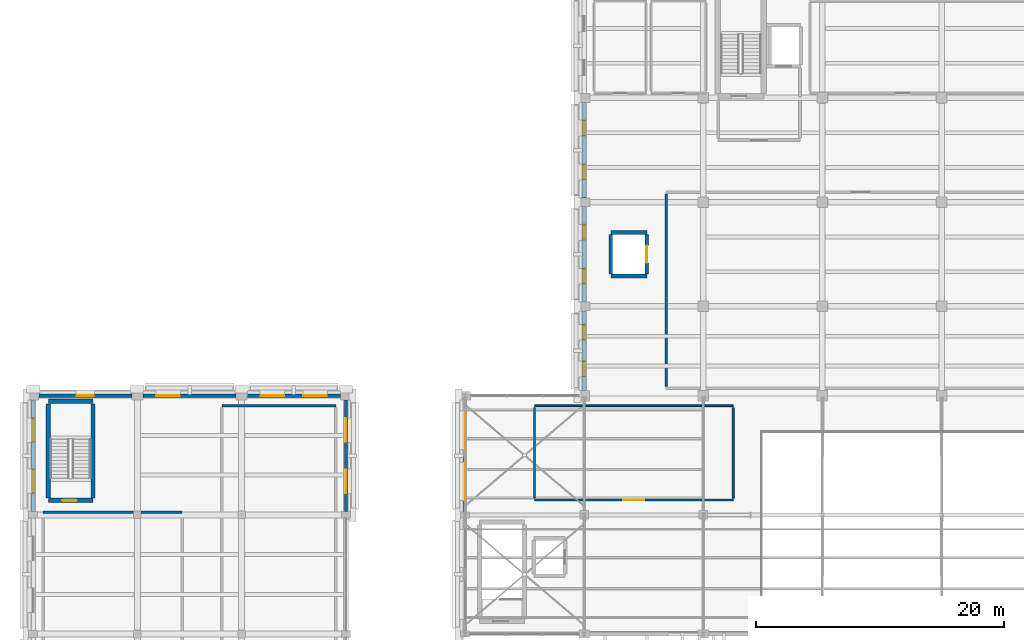
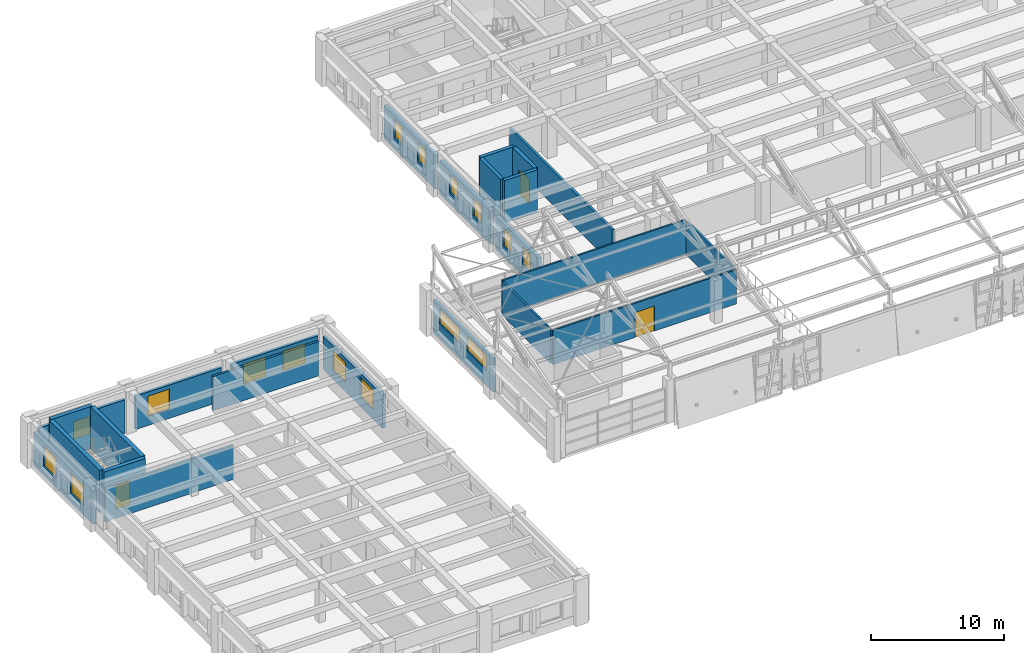
# One storey, part 48 of 58: 24 walls, 16 windows, 3 doors, 19 openings.
"""IFC4 building model written with IfcOpenShell, lengths in metres."""

from ifc_helpers import new_model, si_unit, direction, frame, frame_2d, origin, place, context, subcontext, project, spatial, rectangle, extrude, material, layer, layer_set, type_object, element, fill, save


model = new_model("IFC4")

# Units and contexts
model_context = context("Model", 3, precision=1e-05, world=origin(), true_north=direction((0.0, 1.0)))
body_context = subcontext(model_context, "Body", "Model", "MODEL_VIEW")
ifc_project = project(units=[si_unit("LENGTHUNIT", "METRE"), si_unit("AREAUNIT", "SQUARE_METRE"), si_unit("VOLUMEUNIT", "CUBIC_METRE"), si_unit("PLANEANGLEUNIT", "RADIAN"), si_unit("MASSUNIT", "GRAM", prefix="KILO")], contexts=[model_context])

# Site, building, storey
site_placement = place(None, origin())
site = spatial("IfcSite", under=ifc_project, at=site_placement, CompositionType="ELEMENT")
building_placement = place(site_placement, origin())
building = spatial("IfcBuilding", under=site, at=building_placement, Name="Bempovik Park Faculty of Sciences", CompositionType="ELEMENT")
storey_placement = place(building_placement, frame((0.0, 0.0, 18.300048828125)))
storey = spatial("IfcBuildingStorey", under=building, at=storey_placement, Name="L04", CompositionType="ELEMENT", Elevation=18.300048828125)

# Walls
ifc_material_1 = material(Name="Concrete C40/50", Category="concrete")
ifc_layer_1 = layer(ifc_material_1, 0.300048828125)
ifc_layer_set_1 = layer_set([ifc_layer_1], Name="Concrete C40/50")
wall_type_1 = type_object("IfcWallType", Name="W-31 Wall 300mm", PredefinedType="SHEAR", material=ifc_layer_set_1)
for number, where, z_axis, x_axis, name in (
    (1, (62.14990234375, 96.64990234375, 0.0), (0.0, 0.0, 1.0), (1.0, 0.0, 0.0), "Lift LF-5 L04 Shaft Wall South"),
    (2, (62.14990234375, 100.14990234375, 0.0), (0.0, 0.0, 1.0), (1.0, 0.0, 0.0), "Lift LF-5 L04 Shaft Wall North"),
):
    element("IfcWall", number, at=place(storey_placement, frame(where, z_axis=z_axis, x_axis=x_axis)), inside=storey, type_object=wall_type_1, Name=name, PredefinedType="SHEAR", context=body_context, shape_type="SweptSolid", body=[
        extrude(rectangle(XDim=2.900146484375, YDim=0.300048828125, at=frame_2d((1.4501953125, 0.0))), origin(), (0.0, 0.0, 1.0), 3.89990234375),
    ])
wall_1_placement = place(storey_placement, frame((62.14990234375, 96.800048828125, 0.0), z_axis=(0.0, 0.0, 1.0), x_axis=(0.0, 1.0, 0.0)))
element("IfcWall", 3, at=wall_1_placement, inside=storey, type_object=wall_type_1, Name="Lift LF-5 L04 Shaft Wall West", PredefinedType="SHEAR", context=body_context, shape_type="SweptSolid", body=[
    extrude(rectangle(XDim=3.199951171875, YDim=0.300048828125, at=frame_2d((1.60009765625, 0.0))), origin(), (0.0, 0.0, 1.0), 3.89990234375),
])

# Wall, opening, door
wall_2_placement = place(storey_placement, frame((65.050048828125, 96.800048828125, 0.0), z_axis=(0.0, 0.0, 1.0), x_axis=(0.0, 1.0, 0.0)))
wall_2 = element("IfcWall", 4, at=wall_2_placement, inside=storey, type_object=wall_type_1, Name="Lift LF-5 L04 Shaft Wall East", PredefinedType="SHEAR", context=body_context, shape_type="SweptSolid", body=[
    extrude(rectangle(XDim=3.199951171875, YDim=0.300048828125, at=frame_2d((1.60009765625, 0.0))), origin(), (0.0, 0.0, 1.0), 3.89990234375),
])
opening_1_placement = place(wall_2_placement, frame((0.89990234375, 0.0, 0.0)))
opening_1 = element("IfcOpeningElement", 5, at=opening_1_placement, cuts=wall_2, Name="Opening LD-03", PredefinedType="OPENING", context=body_context, shape_type="SweptSolid", body=[
    extrude(rectangle(XDim=1.39990234375, YDim=2.300048828125, at=frame_2d((0.699951171875, 1.14990234375))), frame((0.0, 0.16015625, 0.0), z_axis=(0.0, -1.0, 0.0), x_axis=(1.0, 0.0, 0.0)), (0.0, 0.0, 1.0), 0.320068359375),
])
ifc_material_2 = material(Name="Painted steel S355", Category="steel")
door_type_1 = type_object("IfcDoorType", Name="LD-03 Door 1400x2300", OperationType="NOTDEFINED", PredefinedType="DOOR", material=ifc_material_2)
door_1_placement = place(opening_1_placement, origin())
door_1 = element("IfcDoor", 6, at=door_1_placement, inside=storey, type_object=door_type_1, Name="Lift LF-5 L04 Sliding Landing Door", OperationType="SLIDING_TO_LEFT", OverallHeight=2.300048828125, OverallWidth=1.39990234375, PredefinedType="DOOR", context=body_context, shape_type="SweptSolid", body=[
    extrude(rectangle(XDim=1.39990234375, YDim=2.300048828125, at=frame_2d((0.699951171875, 1.14990234375))), frame((0.0, 0.02490234375, 0.0), z_axis=(0.0, -1.0, 0.0), x_axis=(1.0, 0.0, 0.0)), (0.0, 0.0, 1.0), 0.050048828125),
])
fill(opening_1, door_1)

ifc_material_3 = material(Name="Gypsum acoustic stud assembly")
ifc_layer_2 = layer(ifc_material_3, 0.14990234375)
ifc_layer_set_2 = layer_set([ifc_layer_2], Name="Gypsum acoustic stud assembly")
wall_type_2 = type_object("IfcWallType", Name="W-42 Wall 150mm", PredefinedType="PARTITIONING", material=ifc_layer_set_2)
wall_3_placement = place(storey_placement, frame((56.0, 78.60009765625, 0.0), z_axis=(0.0, 0.0, 1.0), x_axis=(1.0, 0.0, 0.0)))
wall_3 = element("IfcWall", 7, at=wall_3_placement, inside=storey, type_object=wall_type_2, Name="L04 Atrium Sawtooth West Reading Gallery Partition South", PredefinedType="PARTITIONING", context=body_context, shape_type="SweptSolid", body=[
    extrude(rectangle(XDim=16.0, YDim=0.14990234375, at=frame_2d((8.0, 0.0))), origin(), (0.0, 0.0, 1.0), 3.14990234375),
])
opening_2_placement = place(wall_3_placement, frame((7.14990234375, 0.0, 0.0)))
opening_2 = element("IfcOpeningElement", 8, at=opening_2_placement, cuts=wall_3, Name="Opening D-40", PredefinedType="OPENING", context=body_context, shape_type="SweptSolid", body=[
    extrude(rectangle(XDim=1.699951171875, YDim=2.300048828125, at=frame_2d((0.85009765625, 1.14990234375))), frame((0.0, 0.0849609375, 0.0), z_axis=(0.0, -1.0, 0.0), x_axis=(1.0, 0.0, 0.0)), (0.0, 0.0, 1.0), 0.169921875),
])
ifc_material_4 = material(Name="Anodised architectural bronze")
door_type_2 = type_object("IfcDoorType", Name="D-40 Door 1700x2300", OperationType="NOTDEFINED", PredefinedType="DOOR", material=ifc_material_4)
door_2_placement = place(opening_2_placement, origin())
door_2 = element("IfcDoor", 9, at=door_2_placement, inside=storey, type_object=door_type_2, Name="L04 Atrium Sawtooth West Reading Gallery Door", OperationType="DOUBLE_DOOR_SINGLE_SWING", OverallHeight=2.300048828125, OverallWidth=1.699951171875, PredefinedType="DOOR", context=body_context, shape_type="SweptSolid", body=[
    extrude(rectangle(XDim=1.699951171875, YDim=2.300048828125, at=frame_2d((0.85009765625, 1.14990234375))), frame((0.0, 0.02490234375, 0.0), z_axis=(0.0, -1.0, 0.0), x_axis=(1.0, 0.0, 0.0)), (0.0, 0.0, 1.0), 0.050048828125),
])
fill(opening_2, door_2)

# Walls
wall_4_placement = place(storey_placement, frame((56.0, 86.199951171875, 0.0), z_axis=(0.0, 0.0, 1.0), x_axis=(1.0, 0.0, 0.0)))
element("IfcWall", 10, at=wall_4_placement, inside=storey, type_object=wall_type_2, Name="L04 Atrium Sawtooth West Reading Gallery Partition North", PredefinedType="PARTITIONING", context=body_context, shape_type="SweptSolid", body=[
    extrude(rectangle(XDim=16.0, YDim=0.14990234375, at=frame_2d((8.0, 0.0))), origin(), (0.0, 0.0, 1.0), 3.14990234375),
])
for number, where, z_axis, x_axis, name in (
    (11, (56.0, 78.760009765625, 0.0), (0.0, 0.0, 1.0), (0.0, 1.0, 0.0), "L04 Atrium Sawtooth West Reading Gallery Partition West"),
    (12, (72.0, 78.760009765625, 0.0), (0.0, 0.0, 1.0), (0.0, 1.0, 0.0), "L04 Atrium Sawtooth West Reading Gallery Partition East"),
):
    element("IfcWall", number, at=place(storey_placement, frame(where, z_axis=z_axis, x_axis=x_axis)), inside=storey, type_object=wall_type_2, Name=name, PredefinedType="PARTITIONING", context=body_context, shape_type="SweptSolid", body=[
        extrude(rectangle(XDim=7.280029296875, YDim=0.14990234375, at=frame_2d((3.64013671875, 0.0))), origin(), (0.0, 0.0, 1.0), 3.14990234375),
    ])

# Wall, opening, door
ifc_layer_3 = layer(ifc_material_1, 0.35009765625)
ifc_layer_set_3 = layer_set([ifc_layer_3], Name="Concrete C40/50")
wall_type_3 = type_object("IfcWallType", Name="W-46 Wall 350mm", PredefinedType="SHEAR", material=ifc_layer_set_3)
wall_5_placement = place(storey_placement, frame((16.824951171875, 78.574951171875, 0.0), z_axis=(0.0, 0.0, 1.0), x_axis=(1.0, 0.0, 0.0)))
wall_5 = element("IfcWall", 13, at=wall_5_placement, inside=storey, type_object=wall_type_3, Name="ST-3 L04 Core Shear Wall South", PredefinedType="SHEAR", context=body_context, shape_type="SweptSolid", body=[
    extrude(rectangle(XDim=3.60009765625, YDim=0.35009765625, at=frame_2d((1.800048828125, 0.0))), origin(), (0.0, 0.0, 1.0), 3.89990234375),
])
opening_3_placement = place(wall_5_placement, frame((1.10009765625, 0.0, 0.0)))
opening_3 = element("IfcOpeningElement", 14, at=opening_3_placement, cuts=wall_5, Name="Opening D-49", PredefinedType="OPENING", context=body_context, shape_type="SweptSolid", body=[
    extrude(rectangle(XDim=1.199951171875, YDim=2.199951171875, at=frame_2d((0.60009765625, 1.10009765625))), frame((0.0, 0.18505859375, 0.0), z_axis=(0.0, -1.0, 0.0), x_axis=(1.0, 0.0, 0.0)), (0.0, 0.0, 1.0), 0.3701171875),
])
door_type_3 = type_object("IfcDoorType", Name="D-49 Door 1200x2200", OperationType="NOTDEFINED", PredefinedType="DOOR", material=ifc_material_2)
door_3_placement = place(opening_3_placement, origin())
door_3 = element("IfcDoor", 15, at=door_3_placement, inside=storey, type_object=door_type_3, Name="ST-3 L04 Protected Stair Smoke Door", OperationType="SINGLE_SWING_LEFT", OverallHeight=2.199951171875, OverallWidth=1.199951171875, PredefinedType="DOOR", context=body_context, shape_type="SweptSolid", body=[
    extrude(rectangle(XDim=1.199951171875, YDim=2.199951171875, at=frame_2d((0.60009765625, 1.10009765625))), frame((0.0, 0.02490234375, 0.0), z_axis=(0.0, -1.0, 0.0), x_axis=(1.0, 0.0, 0.0)), (0.0, 0.0, 1.0), 0.050048828125),
])
fill(opening_3, door_3)

# Walls
for number, where, z_axis, x_axis, name in (
    (16, (16.824951171875, 78.77490234375, 0.0), (0.0, 0.0, 1.0), (0.0, 1.0, 0.0), "ST-3 L04 Core Shear Wall West"),
    (17, (20.425048828125, 78.77490234375, 0.0), (0.0, 0.0, 1.0), (0.0, 1.0, 0.0), "ST-3 L04 Core Shear Wall East"),
):
    element("IfcWall", number, at=place(storey_placement, frame(where, z_axis=z_axis, x_axis=x_axis)), inside=storey, type_object=wall_type_3, Name=name, PredefinedType="SHEAR", context=body_context, shape_type="SweptSolid", body=[
        extrude(rectangle(XDim=7.5751953125, YDim=0.35009765625, at=frame_2d((3.78759765625, 0.0))), origin(), (0.0, 0.0, 1.0), 3.89990234375),
    ])
wall_6_placement = place(storey_placement, frame((16.824951171875, 86.550048828125, 0.0), z_axis=(0.0, 0.0, 1.0), x_axis=(1.0, 0.0, 0.0)))
element("IfcWall", 18, at=wall_6_placement, inside=storey, type_object=wall_type_3, Name="ST-3 L04 Core Shear Wall North", PredefinedType="SHEAR", context=body_context, shape_type="SweptSolid", body=[
    extrude(rectangle(XDim=3.60009765625, YDim=0.35009765625, at=frame_2d((1.800048828125, 0.0))), origin(), (0.0, 0.0, 1.0), 3.89990234375),
])

# Wall, opening, window
ifc_material_5 = material(Name="Precast concrete C40/50", Category="concrete")
ifc_layer_4 = layer(ifc_material_5, 0.260009765625)
ifc_layer_set_4 = layer_set([ifc_layer_4], Name="Precast concrete C40/50")
wall_type_4 = type_object("IfcWallType", Name="W-54 Wall 260mm", PredefinedType="SOLIDWALL", material=ifc_layer_set_4)
wall_7_placement = place(storey_placement, frame((16.052001953125, 87.0, 0.0), z_axis=(0.0, 0.0, 1.0), x_axis=(1.0, 0.0, 0.0)))
wall_7 = element("IfcWall", 19, at=wall_7_placement, inside=storey, type_object=wall_type_4, Name="L04 Classical Precast Facade Wall EW-L04-9352", PredefinedType="SOLIDWALL", context=body_context, shape_type="SweptSolid", body=[
    extrude(rectangle(XDim=7.49609375, YDim=0.260009765625, at=frame_2d((3.748046875, 0.0))), origin(), (0.0, 0.0, 1.0), 3.079833984375),
])
opening_4_placement = place(wall_7_placement, frame((3.048095703125, 0.0, 0.89990234375)))
opening_4 = element("IfcOpeningElement", 20, at=opening_4_placement, cuts=wall_7, Name="Opening WN-84", PredefinedType="OPENING", context=body_context, shape_type="SweptSolid", body=[
    extrude(rectangle(XDim=1.39990234375, YDim=1.64990234375, at=frame_2d((0.699951171875, 0.824951171875))), frame((0.0, 0.14013671875, 0.0), z_axis=(0.0, -1.0, 0.0), x_axis=(1.0, 0.0, 0.0)), (0.0, 0.0, 1.0), 0.280029296875),
])
ifc_material_6 = material(Name="Tempered laminated low-E glass", Category="glass")
window_type_1 = type_object("IfcWindowType", Name="WN-84 Window 1400x1650", PartitioningType="SINGLE_PANEL", PredefinedType="WINDOW", material=ifc_material_6)
window_1_placement = place(opening_4_placement, origin())
window_1 = element("IfcWindow", 21, at=window_1_placement, inside=storey, type_object=window_type_1, Name="L04 Stairwell Classical Lancet Window EW-L04-9352", OverallHeight=1.64990234375, OverallWidth=1.39990234375, PartitioningType="SINGLE_PANEL", PredefinedType="WINDOW", context=body_context, shape_type="SweptSolid", body=[
    extrude(rectangle(XDim=1.39990234375, YDim=1.64990234375, at=frame_2d((0.699951171875, 0.824951171875))), frame((0.0, 0.030029296875, 0.0), z_axis=(0.0, -1.0, 0.0), x_axis=(1.0, 0.0, 0.0)), (0.0, 0.0, 1.0), 0.06005859375),
])
fill(opening_4, window_1)

wall_8_placement = place(storey_placement, frame((24.451904296875, 87.0, 0.0), z_axis=(0.0, 0.0, 1.0), x_axis=(1.0, 0.0, 0.0)))
wall_8 = element("IfcWall", 22, at=wall_8_placement, inside=storey, type_object=wall_type_4, Name="L04 Classical Precast Facade Wall EW-L04-9359", PredefinedType="SOLIDWALL", context=body_context, shape_type="SweptSolid", body=[
    extrude(rectangle(XDim=7.49609375, YDim=0.260009765625, at=frame_2d((3.748046875, 0.0))), origin(), (0.0, 0.0, 1.0), 3.079833984375),
])
opening_5_placement = place(wall_8_placement, frame((1.073974609375, 0.0, 0.85009765625)))
opening_5 = element("IfcOpeningElement", 23, at=opening_5_placement, cuts=wall_8, Name="Opening WN-48", PredefinedType="OPENING", context=body_context, shape_type="SweptSolid", body=[
    extrude(rectangle(XDim=1.89990234375, YDim=1.85009765625, at=frame_2d((0.949951171875, 0.925048828125))), frame((0.0, 0.14013671875, 0.0), z_axis=(0.0, -1.0, 0.0), x_axis=(1.0, 0.0, 0.0)), (0.0, 0.0, 1.0), 0.280029296875),
])
window_type_2 = type_object("IfcWindowType", Name="WN-48 Window 1900x1850", PartitioningType="SINGLE_PANEL", PredefinedType="WINDOW", material=ifc_material_6)
window_2_placement = place(opening_5_placement, origin())
window_2 = element("IfcWindow", 24, at=window_2_placement, inside=storey, type_object=window_type_2, Name="L04 Window EW-L04-9359-1", OverallHeight=1.85009765625, OverallWidth=1.89990234375, PartitioningType="SINGLE_PANEL", PredefinedType="WINDOW", context=body_context, shape_type="SweptSolid", body=[
    extrude(rectangle(XDim=1.89990234375, YDim=1.85009765625, at=frame_2d((0.949951171875, 0.925048828125))), frame((0.0, 0.030029296875, 0.0), z_axis=(0.0, -1.0, 0.0), x_axis=(1.0, 0.0, 0.0)), (0.0, 0.0, 1.0), 0.06005859375),
])
fill(opening_5, window_2)

# Wall, openings, windows
wall_9_placement = place(storey_placement, frame((32.85205078125, 87.0, 0.0), z_axis=(0.0, 0.0, 1.0), x_axis=(1.0, 0.0, 0.0)))
wall_9 = element("IfcWall", 25, at=wall_9_placement, inside=storey, type_object=wall_type_4, Name="L04 Classical Precast Facade Wall EW-L04-9369", PredefinedType="SOLIDWALL", context=body_context, shape_type="SweptSolid", body=[
    extrude(rectangle(XDim=7.495849609375, YDim=0.260009765625, at=frame_2d((3.748046875, 0.0))), origin(), (0.0, 0.0, 1.0), 3.079833984375),
])
opening_6_placement = place(wall_9_placement, frame((1.073974609375, 0.0, 0.85009765625)))
opening_6 = element("IfcOpeningElement", 26, at=opening_6_placement, cuts=wall_9, Name="Opening WN-48", PredefinedType="OPENING", context=body_context, shape_type="SweptSolid", body=[
    extrude(rectangle(XDim=1.89990234375, YDim=1.85009765625, at=frame_2d((0.949951171875, 0.925048828125))), frame((0.0, 0.14013671875, 0.0), z_axis=(0.0, -1.0, 0.0), x_axis=(1.0, 0.0, 0.0)), (0.0, 0.0, 1.0), 0.280029296875),
])
opening_7_placement = place(wall_9_placement, frame((4.522216796875, 0.0, 0.85009765625)))
opening_7 = element("IfcOpeningElement", 27, at=opening_7_placement, cuts=wall_9, Name="Opening WN-48", PredefinedType="OPENING", context=body_context, shape_type="SweptSolid", body=[
    extrude(rectangle(XDim=1.89990234375, YDim=1.85009765625, at=frame_2d((0.949951171875, 0.925048828125))), frame((0.0, 0.14013671875, 0.0), z_axis=(0.0, -1.0, 0.0), x_axis=(1.0, 0.0, 0.0)), (0.0, 0.0, 1.0), 0.280029296875),
])
window_3_placement = place(opening_6_placement, origin())
window_3 = element("IfcWindow", 28, at=window_3_placement, inside=storey, type_object=window_type_2, Name="L04 Window EW-L04-9369-1", OverallHeight=1.85009765625, OverallWidth=1.89990234375, PartitioningType="SINGLE_PANEL", PredefinedType="WINDOW", context=body_context, shape_type="SweptSolid", body=[
    extrude(rectangle(XDim=1.89990234375, YDim=1.85009765625, at=frame_2d((0.949951171875, 0.925048828125))), frame((0.0, 0.030029296875, 0.0), z_axis=(0.0, -1.0, 0.0), x_axis=(1.0, 0.0, 0.0)), (0.0, 0.0, 1.0), 0.06005859375),
])
fill(opening_6, window_3)
window_4_placement = place(opening_7_placement, origin())
window_4 = element("IfcWindow", 29, at=window_4_placement, inside=storey, type_object=window_type_2, Name="L04 Window EW-L04-9369-2", OverallHeight=1.85009765625, OverallWidth=1.89990234375, PartitioningType="SINGLE_PANEL", PredefinedType="WINDOW", context=body_context, shape_type="SweptSolid", body=[
    extrude(rectangle(XDim=1.89990234375, YDim=1.85009765625, at=frame_2d((0.949951171875, 0.925048828125))), frame((0.0, 0.030029296875, 0.0), z_axis=(0.0, -1.0, 0.0), x_axis=(1.0, 0.0, 0.0)), (0.0, 0.0, 1.0), 0.06005859375),
])
fill(opening_7, window_4)

wall_10_placement = place(storey_placement, frame((40.800048828125, 77.672119140625, 0.0), z_axis=(0.0, 0.0, 1.0), x_axis=(0.0, 1.0, 0.0)))
wall_10 = element("IfcWall", 30, at=wall_10_placement, inside=storey, type_object=wall_type_4, Name="L04 Classical Precast Facade Wall EW-L04-9430", PredefinedType="SOLIDWALL", context=body_context, shape_type="SweptSolid", body=[
    extrude(rectangle(XDim=8.975830078125, YDim=0.260009765625, at=frame_2d((4.48779296875, 0.0))), origin(), (0.0, 0.0, 1.0), 3.079833984375),
])
opening_8_placement = place(wall_10_placement, frame((1.473388671875, 0.0, 0.85009765625)))
opening_8 = element("IfcOpeningElement", 31, at=opening_8_placement, cuts=wall_10, Name="Opening WN-48", PredefinedType="OPENING", context=body_context, shape_type="SweptSolid", body=[
    extrude(rectangle(XDim=1.89990234375, YDim=1.85009765625, at=frame_2d((0.949951171875, 0.925048828125))), frame((0.0, 0.14013671875, 0.0), z_axis=(0.0, -1.0, 0.0), x_axis=(1.0, 0.0, 0.0)), (0.0, 0.0, 1.0), 0.280029296875),
])
opening_9_placement = place(wall_10_placement, frame((5.6025390625, 0.0, 0.85009765625)))
opening_9 = element("IfcOpeningElement", 32, at=opening_9_placement, cuts=wall_10, Name="Opening WN-48", PredefinedType="OPENING", context=body_context, shape_type="SweptSolid", body=[
    extrude(rectangle(XDim=1.89990234375, YDim=1.85009765625, at=frame_2d((0.949951171875, 0.925048828125))), frame((0.0, 0.14013671875, 0.0), z_axis=(0.0, -1.0, 0.0), x_axis=(1.0, 0.0, 0.0)), (0.0, 0.0, 1.0), 0.280029296875),
])
window_5_placement = place(opening_8_placement, origin())
window_5 = element("IfcWindow", 33, at=window_5_placement, inside=storey, type_object=window_type_2, Name="L04 Window EW-L04-9430-1", OverallHeight=1.85009765625, OverallWidth=1.89990234375, PartitioningType="SINGLE_PANEL", PredefinedType="WINDOW", context=body_context, shape_type="SweptSolid", body=[
    extrude(rectangle(XDim=1.89990234375, YDim=1.85009765625, at=frame_2d((0.949951171875, 0.925048828125))), frame((0.0, 0.030029296875, 0.0), z_axis=(0.0, -1.0, 0.0), x_axis=(1.0, 0.0, 0.0)), (0.0, 0.0, 1.0), 0.06005859375),
])
fill(opening_8, window_5)
window_6_placement = place(opening_9_placement, origin())
window_6 = element("IfcWindow", 34, at=window_6_placement, inside=storey, type_object=window_type_2, Name="L04 Window EW-L04-9430-2", OverallHeight=1.85009765625, OverallWidth=1.89990234375, PartitioningType="SINGLE_PANEL", PredefinedType="WINDOW", context=body_context, shape_type="SweptSolid", body=[
    extrude(rectangle(XDim=1.89990234375, YDim=1.85009765625, at=frame_2d((0.949951171875, 0.925048828125))), frame((0.0, 0.030029296875, 0.0), z_axis=(0.0, -1.0, 0.0), x_axis=(1.0, 0.0, 0.0)), (0.0, 0.0, 1.0), 0.06005859375),
])
fill(opening_9, window_6)

wall_11_placement = place(storey_placement, frame((50.39990234375, 77.652099609375, 0.0), z_axis=(0.0, 0.0, 1.0), x_axis=(0.0, 1.0, 0.0)))
wall_11 = element("IfcWall", 35, at=wall_11_placement, inside=storey, type_object=wall_type_4, Name="L04 Classical Precast Facade Wall EW-L04-9671", PredefinedType="SOLIDWALL", context=body_context, shape_type="SweptSolid", body=[
    extrude(rectangle(XDim=8.995849609375, YDim=0.260009765625, at=frame_2d((4.498046875, 0.0))), origin(), (0.0, 0.0, 1.0), 3.079833984375),
])
opening_10_placement = place(wall_11_placement, frame((0.928955078125, 0.0, 1.449951171875)))
opening_10 = element("IfcOpeningElement", 36, at=opening_10_placement, cuts=wall_11, Name="Opening WN-53", PredefinedType="OPENING", context=body_context, shape_type="SweptSolid", body=[
    extrude(rectangle(XDim=3.0, YDim=1.35009765625, at=frame_2d((1.5, 0.675048828125))), frame((0.0, 0.14013671875, 0.0), z_axis=(0.0, -1.0, 0.0), x_axis=(1.0, 0.0, 0.0)), (0.0, 0.0, 1.0), 0.280029296875),
])
opening_11_placement = place(wall_11_placement, frame((5.067138671875, 0.0, 1.449951171875)))
opening_11 = element("IfcOpeningElement", 37, at=opening_11_placement, cuts=wall_11, Name="Opening WN-53", PredefinedType="OPENING", context=body_context, shape_type="SweptSolid", body=[
    extrude(rectangle(XDim=3.0, YDim=1.35009765625, at=frame_2d((1.5, 0.675048828125))), frame((0.0, 0.14013671875, 0.0), z_axis=(0.0, -1.0, 0.0), x_axis=(1.0, 0.0, 0.0)), (0.0, 0.0, 1.0), 0.280029296875),
])
window_type_3 = type_object("IfcWindowType", Name="WN-53 Window 3000x1350", PartitioningType="SINGLE_PANEL", PredefinedType="WINDOW", material=ifc_material_6)
window_7_placement = place(opening_10_placement, origin())
window_7 = element("IfcWindow", 38, at=window_7_placement, inside=storey, type_object=window_type_3, Name="L04 Window EW-L04-9671-1", OverallHeight=1.35009765625, OverallWidth=3.0, PartitioningType="SINGLE_PANEL", PredefinedType="WINDOW", context=body_context, shape_type="SweptSolid", body=[
    extrude(rectangle(XDim=3.0, YDim=1.35009765625, at=frame_2d((1.5, 0.675048828125))), frame((0.0, 0.030029296875, 0.0), z_axis=(0.0, -1.0, 0.0), x_axis=(1.0, 0.0, 0.0)), (0.0, 0.0, 1.0), 0.06005859375),
])
fill(opening_10, window_7)
window_8_placement = place(opening_11_placement, origin())
window_8 = element("IfcWindow", 39, at=window_8_placement, inside=storey, type_object=window_type_3, Name="L04 Window EW-L04-9671-2", OverallHeight=1.35009765625, OverallWidth=3.0, PartitioningType="SINGLE_PANEL", PredefinedType="WINDOW", context=body_context, shape_type="SweptSolid", body=[
    extrude(rectangle(XDim=3.0, YDim=1.35009765625, at=frame_2d((1.5, 0.675048828125))), frame((0.0, 0.030029296875, 0.0), z_axis=(0.0, -1.0, 0.0), x_axis=(1.0, 0.0, 0.0)), (0.0, 0.0, 1.0), 0.06005859375),
])
fill(opening_11, window_8)

ifc_layer_5 = layer(ifc_material_5, 0.320068359375)
ifc_layer_set_5 = layer_set([ifc_layer_5], Name="Precast concrete C40/50")
wall_type_5 = type_object("IfcWallType", Name="W-56 Wall 320mm", PredefinedType="SOLIDWALL", material=ifc_layer_set_5)
wall_12_placement = place(storey_placement, frame((15.60009765625, 77.672119140625, 0.0), z_axis=(0.0, 0.0, 1.0), x_axis=(0.0, 1.0, 0.0)))
wall_12 = element("IfcWall", 40, at=wall_12_placement, inside=storey, type_object=wall_type_5, Name="L04 Classical Precast Facade Wall EW-L04-9340", PredefinedType="SOLIDWALL", context=body_context, shape_type="SweptSolid", body=[
    extrude(rectangle(XDim=8.975830078125, YDim=0.320068359375, at=frame_2d((4.48779296875, 0.0))), origin(), (0.0, 0.0, 1.0), 3.079833984375),
])
opening_12_placement = place(wall_12_placement, frame((1.473388671875, 0.0, 0.85009765625)))
opening_12 = element("IfcOpeningElement", 41, at=opening_12_placement, cuts=wall_12, Name="Opening WN-48", PredefinedType="OPENING", context=body_context, shape_type="SweptSolid", body=[
    extrude(rectangle(XDim=1.89990234375, YDim=1.85009765625, at=frame_2d((0.949951171875, 0.925048828125))), frame((0.0, 0.169921875, 0.0), z_axis=(0.0, -1.0, 0.0), x_axis=(1.0, 0.0, 0.0)), (0.0, 0.0, 1.0), 0.340087890625),
])
opening_13_placement = place(wall_12_placement, frame((5.6025390625, 0.0, 0.85009765625)))
opening_13 = element("IfcOpeningElement", 42, at=opening_13_placement, cuts=wall_12, Name="Opening WN-48", PredefinedType="OPENING", context=body_context, shape_type="SweptSolid", body=[
    extrude(rectangle(XDim=1.89990234375, YDim=1.85009765625, at=frame_2d((0.949951171875, 0.925048828125))), frame((0.0, 0.169921875, 0.0), z_axis=(0.0, -1.0, 0.0), x_axis=(1.0, 0.0, 0.0)), (0.0, 0.0, 1.0), 0.340087890625),
])
window_9_placement = place(opening_12_placement, origin())
window_9 = element("IfcWindow", 43, at=window_9_placement, inside=storey, type_object=window_type_2, Name="L04 Window EW-L04-9340-1", OverallHeight=1.85009765625, OverallWidth=1.89990234375, PartitioningType="SINGLE_PANEL", PredefinedType="WINDOW", context=body_context, shape_type="SweptSolid", body=[
    extrude(rectangle(XDim=1.89990234375, YDim=1.85009765625, at=frame_2d((0.949951171875, 0.925048828125))), frame((0.0, 0.030029296875, 0.0), z_axis=(0.0, -1.0, 0.0), x_axis=(1.0, 0.0, 0.0)), (0.0, 0.0, 1.0), 0.06005859375),
])
fill(opening_12, window_9)
window_10_placement = place(opening_13_placement, origin())
window_10 = element("IfcWindow", 44, at=window_10_placement, inside=storey, type_object=window_type_2, Name="L04 Window EW-L04-9340-2", OverallHeight=1.85009765625, OverallWidth=1.89990234375, PartitioningType="SINGLE_PANEL", PredefinedType="WINDOW", context=body_context, shape_type="SweptSolid", body=[
    extrude(rectangle(XDim=1.89990234375, YDim=1.85009765625, at=frame_2d((0.949951171875, 0.925048828125))), frame((0.0, 0.030029296875, 0.0), z_axis=(0.0, -1.0, 0.0), x_axis=(1.0, 0.0, 0.0)), (0.0, 0.0, 1.0), 0.06005859375),
])
fill(opening_13, window_10)

wall_13_placement = place(storey_placement, frame((60.0, 87.427001953125, 0.0), z_axis=(0.0, 0.0, 1.0), x_axis=(0.0, 1.0, 0.0)))
wall_13 = element("IfcWall", 45, at=wall_13_placement, inside=storey, type_object=wall_type_5, Name="L04 Classical Precast Facade Wall EW-L04-9701", PredefinedType="SOLIDWALL", context=body_context, shape_type="SweptSolid", body=[
    extrude(rectangle(XDim=6.4208984375, YDim=0.320068359375, at=frame_2d((3.21044921875, 0.0))), origin(), (0.0, 0.0, 1.0), 3.079833984375),
])
opening_14_placement = place(wall_13_placement, frame((1.1337890625, 0.0, 1.050048828125)))
opening_14 = element("IfcOpeningElement", 46, at=opening_14_placement, cuts=wall_13, Name="Opening WN-62", PredefinedType="OPENING", context=body_context, shape_type="SweptSolid", body=[
    extrude(rectangle(XDim=1.199951171875, YDim=1.64990234375, at=frame_2d((0.60009765625, 0.824951171875))), frame((0.0, 0.169921875, 0.0), z_axis=(0.0, -1.0, 0.0), x_axis=(1.0, 0.0, 0.0)), (0.0, 0.0, 1.0), 0.340087890625),
])
opening_15_placement = place(wall_13_placement, frame((4.08740234375, 0.0, 1.050048828125)))
opening_15 = element("IfcOpeningElement", 47, at=opening_15_placement, cuts=wall_13, Name="Opening WN-62", PredefinedType="OPENING", context=body_context, shape_type="SweptSolid", body=[
    extrude(rectangle(XDim=1.199951171875, YDim=1.64990234375, at=frame_2d((0.60009765625, 0.824951171875))), frame((0.0, 0.169921875, 0.0), z_axis=(0.0, -1.0, 0.0), x_axis=(1.0, 0.0, 0.0)), (0.0, 0.0, 1.0), 0.340087890625),
])
window_type_4 = type_object("IfcWindowType", Name="WN-62 Window 1200x1650", PartitioningType="SINGLE_PANEL", PredefinedType="WINDOW", material=ifc_material_6)
window_11_placement = place(opening_14_placement, origin())
window_11 = element("IfcWindow", 48, at=window_11_placement, inside=storey, type_object=window_type_4, Name="L04 Window EW-L04-9701-1", OverallHeight=1.64990234375, OverallWidth=1.199951171875, PartitioningType="SINGLE_PANEL", PredefinedType="WINDOW", context=body_context, shape_type="SweptSolid", body=[
    extrude(rectangle(XDim=1.199951171875, YDim=1.64990234375, at=frame_2d((0.60009765625, 0.824951171875))), frame((0.0, 0.030029296875, 0.0), z_axis=(0.0, -1.0, 0.0), x_axis=(1.0, 0.0, 0.0)), (0.0, 0.0, 1.0), 0.06005859375),
])
fill(opening_14, window_11)
window_12_placement = place(opening_15_placement, origin())
window_12 = element("IfcWindow", 49, at=window_12_placement, inside=storey, type_object=window_type_4, Name="L04 Window EW-L04-9701-2", OverallHeight=1.64990234375, OverallWidth=1.199951171875, PartitioningType="SINGLE_PANEL", PredefinedType="WINDOW", context=body_context, shape_type="SweptSolid", body=[
    extrude(rectangle(XDim=1.199951171875, YDim=1.64990234375, at=frame_2d((0.60009765625, 0.824951171875))), frame((0.0, 0.030029296875, 0.0), z_axis=(0.0, -1.0, 0.0), x_axis=(1.0, 0.0, 0.0)), (0.0, 0.0, 1.0), 0.06005859375),
])
fill(opening_15, window_12)

wall_14_placement = place(storey_placement, frame((60.0, 94.552001953125, 0.0), z_axis=(0.0, 0.0, 1.0), x_axis=(0.0, 1.0, 0.0)))
wall_14 = element("IfcWall", 50, at=wall_14_placement, inside=storey, type_object=wall_type_5, Name="L04 Classical Precast Facade Wall EW-L04-9714", PredefinedType="SOLIDWALL", context=body_context, shape_type="SweptSolid", body=[
    extrude(rectangle(XDim=7.696044921875, YDim=0.320068359375, at=frame_2d((3.84814453125, 0.0))), origin(), (0.0, 0.0, 1.0), 3.079833984375),
])
opening_16_placement = place(wall_14_placement, frame((1.477783203125, 0.0, 1.050048828125)))
opening_16 = element("IfcOpeningElement", 51, at=opening_16_placement, cuts=wall_14, Name="Opening WN-62", PredefinedType="OPENING", context=body_context, shape_type="SweptSolid", body=[
    extrude(rectangle(XDim=1.199951171875, YDim=1.64990234375, at=frame_2d((0.60009765625, 0.824951171875))), frame((0.0, 0.169921875, 0.0), z_axis=(0.0, -1.0, 0.0), x_axis=(1.0, 0.0, 0.0)), (0.0, 0.0, 1.0), 0.340087890625),
])
opening_17_placement = place(wall_14_placement, frame((5.01806640625, 0.0, 1.050048828125)))
opening_17 = element("IfcOpeningElement", 52, at=opening_17_placement, cuts=wall_14, Name="Opening WN-62", PredefinedType="OPENING", context=body_context, shape_type="SweptSolid", body=[
    extrude(rectangle(XDim=1.199951171875, YDim=1.64990234375, at=frame_2d((0.60009765625, 0.824951171875))), frame((0.0, 0.169921875, 0.0), z_axis=(0.0, -1.0, 0.0), x_axis=(1.0, 0.0, 0.0)), (0.0, 0.0, 1.0), 0.340087890625),
])
window_13_placement = place(opening_16_placement, origin())
window_13 = element("IfcWindow", 53, at=window_13_placement, inside=storey, type_object=window_type_4, Name="L04 Window EW-L04-9714-1", OverallHeight=1.64990234375, OverallWidth=1.199951171875, PartitioningType="SINGLE_PANEL", PredefinedType="WINDOW", context=body_context, shape_type="SweptSolid", body=[
    extrude(rectangle(XDim=1.199951171875, YDim=1.64990234375, at=frame_2d((0.60009765625, 0.824951171875))), frame((0.0, 0.030029296875, 0.0), z_axis=(0.0, -1.0, 0.0), x_axis=(1.0, 0.0, 0.0)), (0.0, 0.0, 1.0), 0.06005859375),
])
fill(opening_16, window_13)
window_14_placement = place(opening_17_placement, origin())
window_14 = element("IfcWindow", 54, at=window_14_placement, inside=storey, type_object=window_type_4, Name="L04 Window EW-L04-9714-2", OverallHeight=1.64990234375, OverallWidth=1.199951171875, PartitioningType="SINGLE_PANEL", PredefinedType="WINDOW", context=body_context, shape_type="SweptSolid", body=[
    extrude(rectangle(XDim=1.199951171875, YDim=1.64990234375, at=frame_2d((0.60009765625, 0.824951171875))), frame((0.0, 0.030029296875, 0.0), z_axis=(0.0, -1.0, 0.0), x_axis=(1.0, 0.0, 0.0)), (0.0, 0.0, 1.0), 0.06005859375),
])
fill(opening_17, window_14)

wall_15_placement = place(storey_placement, frame((60.0, 102.951904296875, 0.0), z_axis=(0.0, 0.0, 1.0), x_axis=(0.0, 1.0, 0.0)))
wall_15 = element("IfcWall", 55, at=wall_15_placement, inside=storey, type_object=wall_type_5, Name="L04 Classical Precast Facade Wall EW-L04-9726", PredefinedType="SOLIDWALL", context=body_context, shape_type="SweptSolid", body=[
    extrude(rectangle(XDim=7.696044921875, YDim=0.320068359375, at=frame_2d((3.84814453125, 0.0))), origin(), (0.0, 0.0, 1.0), 3.079833984375),
])
opening_18_placement = place(wall_15_placement, frame((1.477783203125, 0.0, 1.050048828125)))
opening_18 = element("IfcOpeningElement", 56, at=opening_18_placement, cuts=wall_15, Name="Opening WN-62", PredefinedType="OPENING", context=body_context, shape_type="SweptSolid", body=[
    extrude(rectangle(XDim=1.199951171875, YDim=1.64990234375, at=frame_2d((0.60009765625, 0.824951171875))), frame((0.0, 0.169921875, 0.0), z_axis=(0.0, -1.0, 0.0), x_axis=(1.0, 0.0, 0.0)), (0.0, 0.0, 1.0), 0.340087890625),
])
opening_19_placement = place(wall_15_placement, frame((5.01806640625, 0.0, 1.050048828125)))
opening_19 = element("IfcOpeningElement", 57, at=opening_19_placement, cuts=wall_15, Name="Opening WN-62", PredefinedType="OPENING", context=body_context, shape_type="SweptSolid", body=[
    extrude(rectangle(XDim=1.199951171875, YDim=1.64990234375, at=frame_2d((0.60009765625, 0.824951171875))), frame((0.0, 0.169921875, 0.0), z_axis=(0.0, -1.0, 0.0), x_axis=(1.0, 0.0, 0.0)), (0.0, 0.0, 1.0), 0.340087890625),
])
window_15_placement = place(opening_18_placement, origin())
window_15 = element("IfcWindow", 58, at=window_15_placement, inside=storey, type_object=window_type_4, Name="L04 Window EW-L04-9726-1", OverallHeight=1.64990234375, OverallWidth=1.199951171875, PartitioningType="SINGLE_PANEL", PredefinedType="WINDOW", context=body_context, shape_type="SweptSolid", body=[
    extrude(rectangle(XDim=1.199951171875, YDim=1.64990234375, at=frame_2d((0.60009765625, 0.824951171875))), frame((0.0, 0.030029296875, 0.0), z_axis=(0.0, -1.0, 0.0), x_axis=(1.0, 0.0, 0.0)), (0.0, 0.0, 1.0), 0.06005859375),
])
fill(opening_18, window_15)
window_16_placement = place(opening_19_placement, origin())
window_16 = element("IfcWindow", 59, at=window_16_placement, inside=storey, type_object=window_type_4, Name="L04 Window EW-L04-9726-2", OverallHeight=1.64990234375, OverallWidth=1.199951171875, PartitioningType="SINGLE_PANEL", PredefinedType="WINDOW", context=body_context, shape_type="SweptSolid", body=[
    extrude(rectangle(XDim=1.199951171875, YDim=1.64990234375, at=frame_2d((0.60009765625, 0.824951171875))), frame((0.0, 0.030029296875, 0.0), z_axis=(0.0, -1.0, 0.0), x_axis=(1.0, 0.0, 0.0)), (0.0, 0.0, 1.0), 0.06005859375),
])
fill(opening_19, window_16)

# Walls
ifc_material_7 = material(Name="Concrete C35/45", Category="concrete")
ifc_layer_6 = layer(ifc_material_7, 0.199951171875)
ifc_layer_set_6 = layer_set([ifc_layer_6], Name="Concrete C35/45")
wall_type_6 = type_object("IfcWallType", Name="W-59 Wall 200mm", PredefinedType="PARTITIONING", material=ifc_layer_set_6)
wall_16_placement = place(storey_placement, frame((16.39990234375, 77.60009765625, 0.0), z_axis=(0.0, 0.0, 1.0), x_axis=(1.0, 0.0, 0.0)))
element("IfcWall", 60, at=wall_16_placement, inside=storey, type_object=wall_type_6, Name="L04 Cell Biology Wet Research Laboratory Partition North", PredefinedType="PARTITIONING", context=body_context, shape_type="SweptSolid", body=[
    extrude(rectangle(XDim=11.2001953125, YDim=0.199951171875, at=frame_2d((5.60009765625, 0.0))), origin(), (0.0, 0.0, 1.0), 3.14990234375),
])
wall_17_placement = place(storey_placement, frame((30.800048828125, 86.199951171875, 0.0), z_axis=(0.0, 0.0, 1.0), x_axis=(1.0, 0.0, 0.0)))
element("IfcWall", 61, at=wall_17_placement, inside=storey, type_object=wall_type_6, Name="L04 Proteomics Instrumentation Laboratory Partition North", PredefinedType="PARTITIONING", context=body_context, shape_type="SweptSolid", body=[
    extrude(rectangle(XDim=9.199951171875, YDim=0.199951171875, at=frame_2d((4.60009765625, 0.0))), origin(), (0.0, 0.0, 1.0), 3.14990234375),
])
wall_18_placement = place(storey_placement, frame((66.60009765625, 87.760009765625, 0.0), z_axis=(0.0, 0.0, 1.0), x_axis=(0.0, 1.0, 0.0)))
element("IfcWall", 62, at=wall_18_placement, inside=storey, type_object=wall_type_6, Name="L04 Catalysis and Green Chemistry Laboratory Partition West", PredefinedType="PARTITIONING", context=body_context, shape_type="SweptSolid", body=[
    extrude(rectangle(XDim=15.47998046875, YDim=0.199951171875, at=frame_2d((7.739990234375, 0.0))), origin(), (0.0, 0.0, 1.0), 3.14990234375),
])

save(model, "model.ifc")
